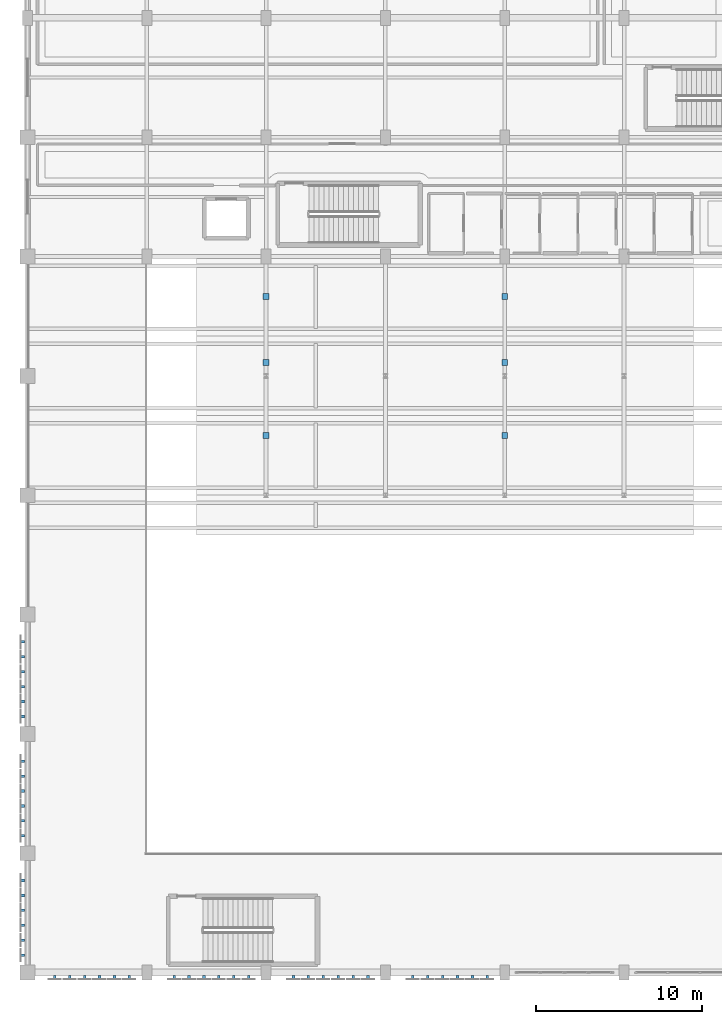
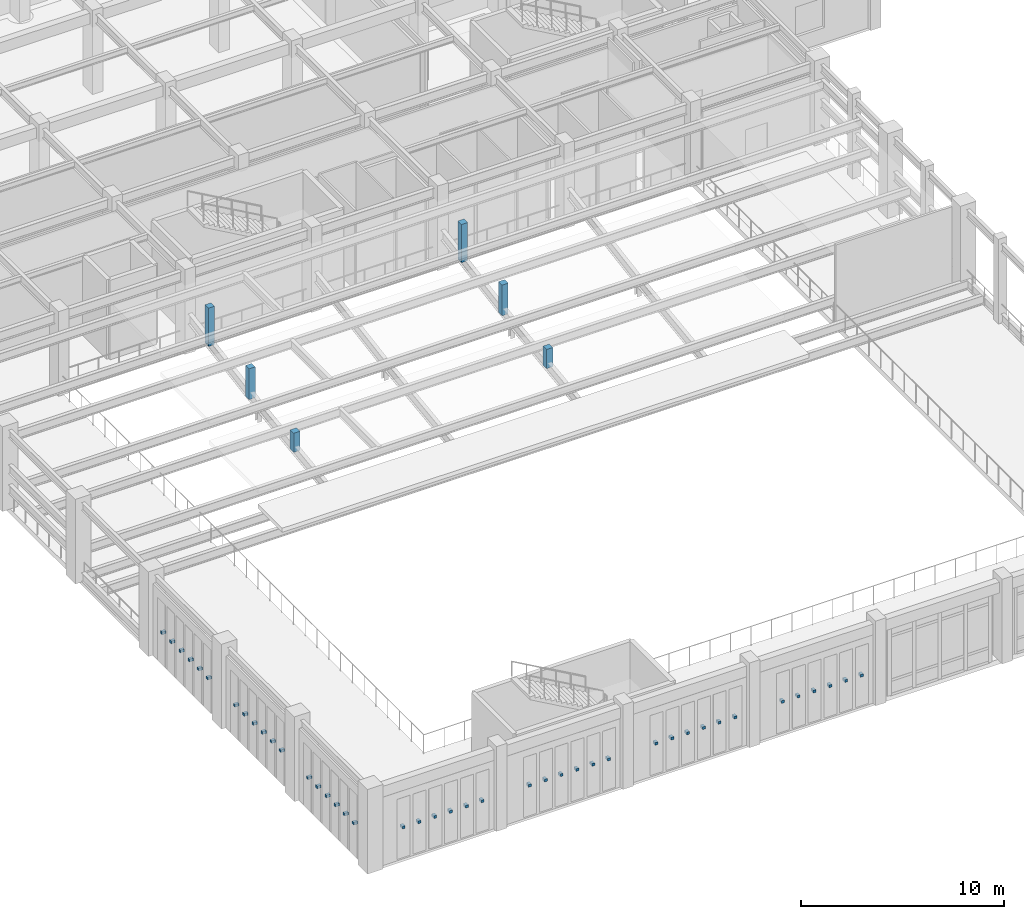
# One storey, part 99 of 117: 48 discrete accessories.
"""IFC4 building model written with IfcOpenShell, lengths in metres."""

from ifc_helpers import new_model, si_unit, direction, frame, origin, origin_2d, place, context, subcontext, project, spatial, rectangle, extrude, material, type_object, element, save


model = new_model("IFC4")

# Units and contexts
model_context = context("Model", 3, precision=1e-05, world=origin(), true_north=direction((0.0, 1.0)))
body_context = subcontext(model_context, "Body", "Model", "MODEL_VIEW")
ifc_project = project(units=[si_unit("LENGTHUNIT", "METRE"), si_unit("AREAUNIT", "SQUARE_METRE"), si_unit("VOLUMEUNIT", "CUBIC_METRE"), si_unit("PLANEANGLEUNIT", "RADIAN"), si_unit("MASSUNIT", "GRAM", prefix="KILO")], contexts=[model_context])

# Site, building, storey
site_placement = place(None, origin())
site = spatial("IfcSite", under=ifc_project, at=site_placement, CompositionType="ELEMENT")
building_placement = place(site_placement, origin())
building = spatial("IfcBuilding", under=site, at=building_placement, Name="Carrowvane Square Congress Hotel", CompositionType="ELEMENT")
storey_placement = place(building_placement, frame((0.0, 0.0, 5.39990234375)))
storey = spatial("IfcBuildingStorey", under=building, at=storey_placement, Name="L01", CompositionType="ELEMENT", Elevation=5.39990234375)

# Discrete accessories
ifc_material = material(Name="Stainless steel 316", Category="steel")
discrete_accessory_type = type_object("IfcDiscreteAccessoryType", Name="ACC-BRK-SS", PredefinedType="BRACKET", material=ifc_material)
for number, where, z_axis, x_axis, name in (
    (1, (26.0, 37.800048828125, 0.445068359375), (0.0, 0.0, 1.0), (1.0, 0.0, 0.0), "L01 Plenary circle tier raker bearing pedestal 1"),
    (2, (40.39990234375, 37.800048828125, 0.445068359375), (0.0, 0.0, 1.0), (1.0, 0.0, 0.0), "L01 Plenary circle tier raker bearing pedestal 2"),
):
    element("IfcDiscreteAccessory", number, at=place(storey_placement, frame(where, z_axis=z_axis, x_axis=x_axis)), inside=storey, type_object=discrete_accessory_type, Name=name, PredefinedType="BRACKET", context=body_context, shape_type="SweptSolid", body=[
        extrude(rectangle(XDim=0.35009765625, YDim=0.35009765625, at=origin_2d()), origin(), (0.0, 0.0, 1.0), 1.14990234375),
    ])
for number, where, z_axis, x_axis, name in (
    (3, (26.0, 42.199951171875, 0.955078125), (0.0, 0.0, 1.0), (1.0, 0.0, 0.0), "L01 Plenary circle tier raker bearing pedestal 3"),
    (4, (40.39990234375, 42.199951171875, 0.955078125), (0.0, 0.0, 1.0), (1.0, 0.0, 0.0), "L01 Plenary circle tier raker bearing pedestal 4"),
):
    element("IfcDiscreteAccessory", number, at=place(storey_placement, frame(where, z_axis=z_axis, x_axis=x_axis)), inside=storey, type_object=discrete_accessory_type, Name=name, PredefinedType="BRACKET", context=body_context, shape_type="SweptSolid", body=[
        extrude(rectangle(XDim=0.35009765625, YDim=0.35009765625, at=origin_2d()), origin(), (0.0, 0.0, 1.0), 1.85009765625),
    ])
for number, where, z_axis, x_axis, name in (
    (5, (26.0, 46.199951171875, 1.72998046875), (0.0, 0.0, 1.0), (1.0, 0.0, 0.0), "L01 Plenary circle tier raker bearing pedestal 5"),
    (6, (40.39990234375, 46.199951171875, 1.72998046875), (0.0, 0.0, 1.0), (1.0, 0.0, 0.0), "L01 Plenary circle tier raker bearing pedestal 6"),
):
    element("IfcDiscreteAccessory", number, at=place(storey_placement, frame(where, z_axis=z_axis, x_axis=x_axis)), inside=storey, type_object=discrete_accessory_type, Name=name, PredefinedType="BRACKET", context=body_context, shape_type="SweptSolid", body=[
        extrude(rectangle(XDim=0.35009765625, YDim=0.35009765625, at=origin_2d()), origin(), (0.0, 0.0, 1.0), 2.300048828125),
    ])
for number, where, z_axis, x_axis, name in (
    (7, (11.31005859375, 6.449951171875, 2.07275390625), (0.0, 0.0, 1.0), (0.0, 1.0, 0.0), "Facade screen bracket 1"),
    (8, (11.31005859375, 7.35009765625, 2.07275390625), (0.0, 0.0, 1.0), (0.0, 1.0, 0.0), "Facade screen bracket 2"),
    (9, (11.31005859375, 8.25, 2.07275390625), (0.0, 0.0, 1.0), (0.0, 1.0, 0.0), "Facade screen bracket 3"),
    (10, (11.31005859375, 9.14990234375, 2.07275390625), (0.0, 0.0, 1.0), (0.0, 1.0, 0.0), "Facade screen bracket 4"),
    (11, (11.31005859375, 10.050048828125, 2.07275390625), (0.0, 0.0, 1.0), (0.0, 1.0, 0.0), "Facade screen bracket 5"),
    (12, (11.31005859375, 10.949951171875, 2.07275390625), (0.0, 0.0, 1.0), (0.0, 1.0, 0.0), "Facade screen bracket 6"),
    (13, (11.31005859375, 13.64990234375, 2.07275390625), (0.0, 0.0, 1.0), (0.0, 1.0, 0.0), "Facade screen bracket 7"),
    (14, (11.31005859375, 14.550048828125, 2.07275390625), (0.0, 0.0, 1.0), (0.0, 1.0, 0.0), "Facade screen bracket 8"),
    (15, (11.31005859375, 15.449951171875, 2.07275390625), (0.0, 0.0, 1.0), (0.0, 1.0, 0.0), "Facade screen bracket 9"),
    (16, (11.31005859375, 16.35009765625, 2.07275390625), (0.0, 0.0, 1.0), (0.0, 1.0, 0.0), "Facade screen bracket 10"),
    (17, (11.31005859375, 17.25, 2.07275390625), (0.0, 0.0, 1.0), (0.0, 1.0, 0.0), "Facade screen bracket 11"),
    (18, (11.31005859375, 18.14990234375, 2.07275390625), (0.0, 0.0, 1.0), (0.0, 1.0, 0.0), "Facade screen bracket 12"),
    (19, (11.31005859375, 20.85009765625, 2.07275390625), (0.0, 0.0, 1.0), (0.0, 1.0, 0.0), "Facade screen bracket 13"),
    (20, (11.31005859375, 21.75, 2.07275390625), (0.0, 0.0, 1.0), (0.0, 1.0, 0.0), "Facade screen bracket 14"),
    (21, (11.31005859375, 22.64990234375, 2.07275390625), (0.0, 0.0, 1.0), (0.0, 1.0, 0.0), "Facade screen bracket 15"),
    (22, (11.31005859375, 23.550048828125, 2.07275390625), (0.0, 0.0, 1.0), (0.0, 1.0, 0.0), "Facade screen bracket 16"),
    (23, (11.31005859375, 24.449951171875, 2.07275390625), (0.0, 0.0, 1.0), (0.0, 1.0, 0.0), "Facade screen bracket 17"),
    (24, (11.31005859375, 25.35009765625, 2.07275390625), (0.0, 0.0, 1.0), (0.0, 1.0, 0.0), "Facade screen bracket 18"),
    (25, (39.35009765625, 5.110107421875, 1.9775390625), (0.0, 0.0, 1.0), (-1.0, 0.0, 0.0), "Facade screen bracket 19"),
    (26, (38.449951171875, 5.110107421875, 1.9775390625), (0.0, 0.0, 1.0), (-1.0, 0.0, 0.0), "Facade screen bracket 20"),
    (27, (37.550048828125, 5.110107421875, 1.9775390625), (0.0, 0.0, 1.0), (-1.0, 0.0, 0.0), "Facade screen bracket 21"),
    (28, (36.64990234375, 5.110107421875, 1.9775390625), (0.0, 0.0, 1.0), (-1.0, 0.0, 0.0), "Facade screen bracket 22"),
    (29, (35.75, 5.110107421875, 1.9775390625), (0.0, 0.0, 1.0), (-1.0, 0.0, 0.0), "Facade screen bracket 23"),
    (30, (34.85009765625, 5.110107421875, 1.9775390625), (0.0, 0.0, 1.0), (-1.0, 0.0, 0.0), "Facade screen bracket 24"),
    (31, (32.14990234375, 5.110107421875, 1.9775390625), (0.0, 0.0, 1.0), (-1.0, 0.0, 0.0), "Facade screen bracket 25"),
    (32, (31.25, 5.110107421875, 1.9775390625), (0.0, 0.0, 1.0), (-1.0, 0.0, 0.0), "Facade screen bracket 26"),
    (33, (30.35009765625, 5.110107421875, 1.9775390625), (0.0, 0.0, 1.0), (-1.0, 0.0, 0.0), "Facade screen bracket 27"),
    (34, (29.449951171875, 5.110107421875, 1.9775390625), (0.0, 0.0, 1.0), (-1.0, 0.0, 0.0), "Facade screen bracket 28"),
    (35, (28.550048828125, 5.110107421875, 1.9775390625), (0.0, 0.0, 1.0), (-1.0, 0.0, 0.0), "Facade screen bracket 29"),
    (36, (27.64990234375, 5.110107421875, 1.9775390625), (0.0, 0.0, 1.0), (-1.0, 0.0, 0.0), "Facade screen bracket 30"),
    (37, (24.949951171875, 5.110107421875, 1.9775390625), (0.0, 0.0, 1.0), (-1.0, 0.0, 0.0), "Facade screen bracket 31"),
    (38, (24.050048828125, 5.110107421875, 1.9775390625), (0.0, 0.0, 1.0), (-1.0, 0.0, 0.0), "Facade screen bracket 32"),
    (39, (23.14990234375, 5.110107421875, 1.9775390625), (0.0, 0.0, 1.0), (-1.0, 0.0, 0.0), "Facade screen bracket 33"),
    (40, (22.25, 5.110107421875, 1.9775390625), (0.0, 0.0, 1.0), (-1.0, 0.0, 0.0), "Facade screen bracket 34"),
    (41, (21.35009765625, 5.110107421875, 1.9775390625), (0.0, 0.0, 1.0), (-1.0, 0.0, 0.0), "Facade screen bracket 35"),
    (42, (20.449951171875, 5.110107421875, 1.9775390625), (0.0, 0.0, 1.0), (-1.0, 0.0, 0.0), "Facade screen bracket 36"),
    (43, (17.75, 5.110107421875, 1.9775390625), (0.0, 0.0, 1.0), (-1.0, 0.0, 0.0), "Facade screen bracket 37"),
    (44, (16.85009765625, 5.110107421875, 1.9775390625), (0.0, 0.0, 1.0), (-1.0, 0.0, 0.0), "Facade screen bracket 38"),
    (45, (15.949951171875, 5.110107421875, 1.9775390625), (0.0, 0.0, 1.0), (-1.0, 0.0, 0.0), "Facade screen bracket 39"),
    (46, (15.050048828125, 5.110107421875, 1.9775390625), (0.0, 0.0, 1.0), (-1.0, 0.0, 0.0), "Facade screen bracket 40"),
    (47, (14.14990234375, 5.110107421875, 1.9775390625), (0.0, 0.0, 1.0), (-1.0, 0.0, 0.0), "Facade screen bracket 41"),
    (48, (13.25, 5.110107421875, 1.9775390625), (0.0, 0.0, 1.0), (-1.0, 0.0, 0.0), "Facade screen bracket 42"),
):
    element("IfcDiscreteAccessory", number, at=place(storey_placement, frame(where, z_axis=z_axis, x_axis=x_axis)), inside=storey, type_object=discrete_accessory_type, Name=name, PredefinedType="BRACKET", context=body_context, shape_type="SweptSolid", body=[
        extrude(rectangle(XDim=0.159912109375, YDim=0.219970703125, at=origin_2d()), origin(), (0.0, 0.0, 1.0), 0.159912109375),
    ])

save(model, "model.ifc")
